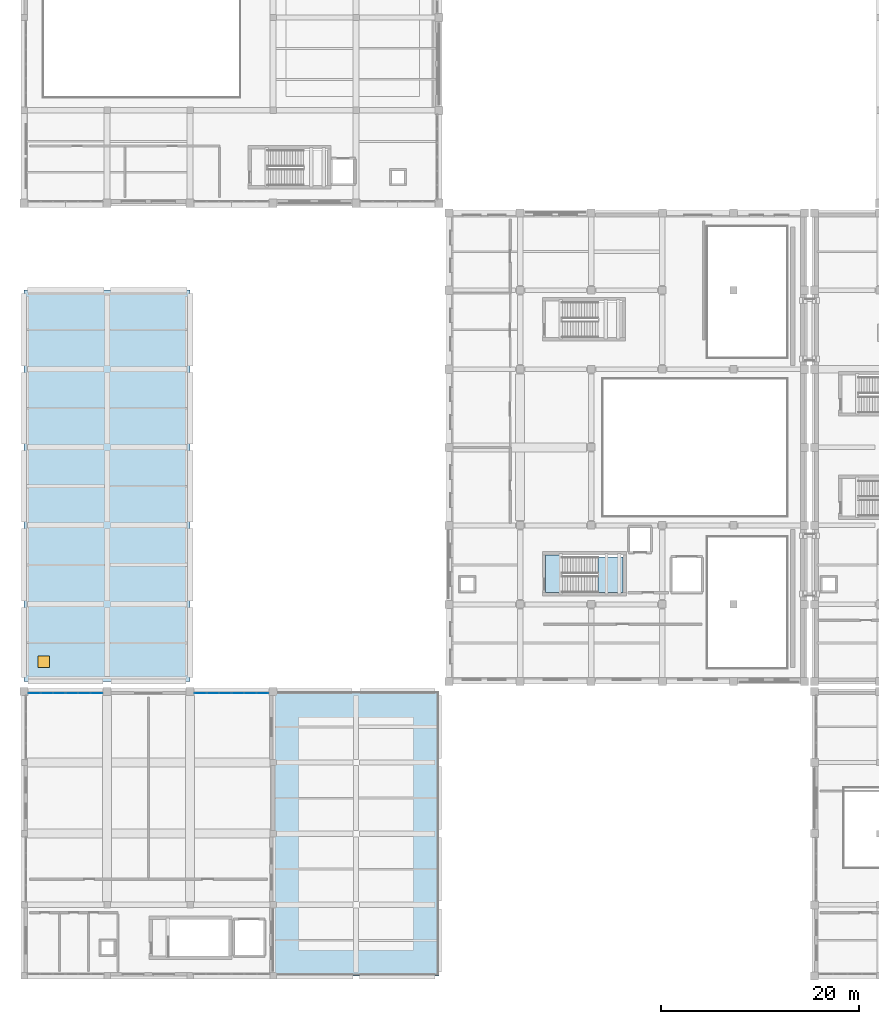
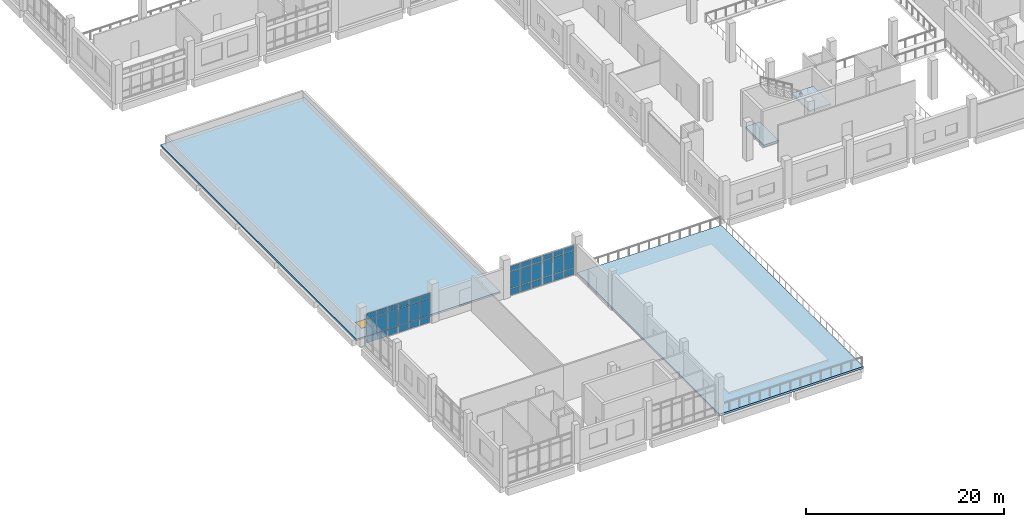
# One storey, part 37 of 73: 36 plates, 4 slabs, 1 window, 1 opening, 5 elements without a shape of their own.
"""IFC4 building model written with IfcOpenShell, lengths in metres."""

from ifc_helpers import new_model, si_unit, direction, frame, origin, origin_2d, place, context, subcontext, project, spatial, polyline, rectangle, outline, extrude, material, layer, layer_set, type_object, element, fill, aggregate, save


model = new_model("IFC4")

# Units and contexts
model_context = context("Model", 3, precision=1e-05, world=origin(), true_north=direction((0.0, 1.0)))
body_context = subcontext(model_context, "Body", "Model", "MODEL_VIEW")
ifc_project = project(units=[si_unit("LENGTHUNIT", "METRE"), si_unit("AREAUNIT", "SQUARE_METRE"), si_unit("VOLUMEUNIT", "CUBIC_METRE"), si_unit("PLANEANGLEUNIT", "RADIAN"), si_unit("MASSUNIT", "GRAM", prefix="KILO")], contexts=[model_context])

# Site, building, storey
site_placement = place(None, origin())
site = spatial("IfcSite", under=ifc_project, at=site_placement, CompositionType="ELEMENT")
building_placement = place(site_placement, origin())
building = spatial("IfcBuilding", under=site, at=building_placement, Name="Kelarvand Opera House", CompositionType="ELEMENT")
storey_placement = place(building_placement, frame((0.0, 0.0, 10.199951171875)))
storey = spatial("IfcBuildingStorey", under=building, at=storey_placement, Name="L02", CompositionType="ELEMENT", Elevation=10.199951171875)

# Slab
ifc_material_1 = material(Name="Concrete C35/45", Category="concrete")
ifc_layer_1 = layer(ifc_material_1, 0.219970703125, Name="Concrete C35/45", Category="concrete")
ifc_layer_set_1 = layer_set([ifc_layer_1], Name="Concrete C35/45")
slab_type_1 = type_object("IfcSlabType", Name="Core Stair Entry Landing Slab 220", PredefinedType="LANDING", material=ifc_layer_set_1)
slab_1_placement = place(storey_placement, frame((0.0, 0.0, -0.219970703125)))
element("IfcSlab", 1, at=slab_1_placement, inside=storey, type_object=slab_type_1, Name="C2 Stair Entry Landing L02", PredefinedType="LANDING", context=body_context, shape_type="SweptSolid", body=[
    extrude(outline(polyline([(61.800048828125, 47.800048828125), (63.52001953125, 47.800048828125), (63.52001953125, 51.60009765625), (61.800048828125, 51.60009765625), (61.800048828125, 47.800048828125)])), origin(), (0.0, 0.0, 1.0), 0.219970703125),
])

# Slab, opening, window
ifc_layer_2 = layer(ifc_material_1, 0.219970703125, Name="Concrete C35/45", Category="concrete")
ifc_layer_set_2 = layer_set([ifc_layer_2], Name="Concrete C35/45")
slab_type_2 = type_object("IfcSlabType", Name="Flat Structural Roof Slab 220", PredefinedType="ROOF", material=ifc_layer_set_2)
slab_2_placement = place(storey_placement, frame((0.0, 0.0, -0.219970703125)))
slab_2 = element("IfcSlab", 2, at=slab_2_placement, inside=storey, type_object=slab_type_2, Name="V4 Flat Roof Slab L02 1", PredefinedType="ROOF", context=body_context, shape_type="SweptSolid", body=[
    extrude(outline(polyline([(9.0, 38.800048828125), (25.800048828125, 38.800048828125), (25.800048828125, 78.39990234375), (9.0, 78.39990234375), (9.0, 38.800048828125)])), origin(), (0.0, 0.0, 1.0), 0.219970703125),
])
opening_placement = place(slab_2_placement, frame((11.0, 40.800048828125, 0.0)))
opening = element("IfcOpeningElement", 3, at=opening_placement, cuts=slab_2, Name="Opening RH-01", PredefinedType="OPENING", context=body_context, shape_type="SweptSolid", body=[
    extrude(rectangle(XDim=1.199951171875, YDim=1.199951171875, at=origin_2d()), frame((0.0, 0.0, -0.010009765625)), (0.0, 0.0, 1.0), 0.239990234375),
])
ifc_material_2 = material(Name="Insulated aluminium roof access hatch", Category="aluminium")
window_type = type_object("IfcWindowType", Name="Insulated Flat-Roof Maintenance Access Hatch 1200x1200", PartitioningType="SINGLE_PANEL", PredefinedType="SKYLIGHT", material=ifc_material_2)
window_placement = place(opening_placement, frame((0.0, 0.0, 0.169921875)))
window = element("IfcWindow", 4, at=window_placement, inside=storey, type_object=window_type, Name="V4 Maintenance Roof Hatch 7", OverallHeight=1.199951171875, OverallWidth=1.199951171875, PartitioningType="SINGLE_PANEL", PredefinedType="SKYLIGHT", context=body_context, shape_type="SweptSolid", body=[
    extrude(rectangle(XDim=1.199951171875, YDim=1.199951171875, at=origin_2d()), origin(), (0.0, 0.0, 1.0), 0.050048828125),
])
fill(opening, window)

# Curtain wall, plates
ifc_material_3 = material(Name="Thermally broken aluminium and low-E glazing", Category="aluminium")
ifc_layer_3 = layer(ifc_material_3, 0.179931640625, Name="Thermally broken aluminium and low-E glazing", Category="aluminium")
ifc_layer_set_3 = layer_set([ifc_layer_3], Name="Thermally broken aluminium and low-E glazing")
curtain_wall_type = type_object("IfcCurtainWallType", Name="Unitised Low-E Curtain Wall 3776x3730 Mod 1350 CWF-33", PredefinedType="USERDEFINED", material=ifc_layer_set_3)
curtain_wall_1_placement = place(storey_placement, origin())
curtain_wall_1 = element("IfcCurtainWall", 5, at=curtain_wall_1_placement, inside=storey, type_object=curtain_wall_type, Name="V4 L02 Curtain Wall CWF-33 (151)", ObjectType="UNITISED CURTAIN WALL", PredefinedType="USERDEFINED")
ifc_material_4 = material(Name="Low-E laminated double glazing", Category="glass")
ifc_layer_4 = layer(ifc_material_4, 0.031982421875, Name="Low-E laminated double glazing", Category="glass")
ifc_layer_set_4 = layer_set([ifc_layer_4], Name="Low-E laminated double glazing")
plate_type = type_object("IfcPlateType", Name="Low-E Argon Double Glazed Curtain Panel 32mm", PredefinedType="CURTAIN_PANEL", material=ifc_layer_set_4)
plate_1_placement = place(storey_placement, frame((10.065673828125, 37.6201171875, 0.06494140625), z_axis=(0.0, 0.0, 1.0), x_axis=(1.0, 0.0, 0.0)))
plate_1 = element("IfcPlate", 6, at=plate_1_placement, type_object=plate_type, Name="CWF-33 panel 1.1", PredefinedType="CURTAIN_PANEL", context=body_context, shape_type="SweptSolid", body=[
    extrude(rectangle(XDim=1.1611328125, YDim=0.031982421875, at=origin_2d()), origin(), (0.0, 0.0, 1.0), 0.802490234375),
])
plate_2_placement = place(storey_placement, frame((10.065673828125, 37.6201171875, 0.9326171875), z_axis=(0.0, 0.0, 1.0), x_axis=(1.0, 0.0, 0.0)))
plate_2 = element("IfcPlate", 7, at=plate_2_placement, type_object=plate_type, Name="CWF-33 panel 1.2", PredefinedType="CURTAIN_PANEL", context=body_context, shape_type="SweptSolid", body=[
    extrude(rectangle(XDim=1.1611328125, YDim=0.031982421875, at=origin_2d()), origin(), (0.0, 0.0, 1.0), 2.06494140625),
])
plate_3_placement = place(storey_placement, frame((10.065673828125, 37.6201171875, 3.0625), z_axis=(0.0, 0.0, 1.0), x_axis=(1.0, 0.0, 0.0)))
plate_3 = element("IfcPlate", 8, at=plate_3_placement, type_object=plate_type, Name="CWF-33 panel 1.3", PredefinedType="CURTAIN_PANEL", context=body_context, shape_type="SweptSolid", body=[
    extrude(rectangle(XDim=1.1611328125, YDim=0.031982421875, at=origin_2d()), origin(), (0.0, 0.0, 1.0), 0.6025390625),
])
plate_4_placement = place(storey_placement, frame((11.30810546875, 37.6201171875, 0.06494140625), z_axis=(0.0, 0.0, 1.0), x_axis=(1.0, 0.0, 0.0)))
plate_4 = element("IfcPlate", 9, at=plate_4_placement, type_object=plate_type, Name="CWF-33 panel 2.1", PredefinedType="CURTAIN_PANEL", context=body_context, shape_type="SweptSolid", body=[
    extrude(rectangle(XDim=1.193603515625, YDim=0.031982421875, at=origin_2d()), origin(), (0.0, 0.0, 1.0), 0.802490234375),
])
plate_5_placement = place(storey_placement, frame((11.30810546875, 37.6201171875, 0.9326171875), z_axis=(0.0, 0.0, 1.0), x_axis=(1.0, 0.0, 0.0)))
plate_5 = element("IfcPlate", 10, at=plate_5_placement, type_object=plate_type, Name="CWF-33 panel 2.2", PredefinedType="CURTAIN_PANEL", context=body_context, shape_type="SweptSolid", body=[
    extrude(rectangle(XDim=1.193603515625, YDim=0.031982421875, at=origin_2d()), origin(), (0.0, 0.0, 1.0), 2.06494140625),
])
plate_6_placement = place(storey_placement, frame((11.30810546875, 37.6201171875, 3.0625), z_axis=(0.0, 0.0, 1.0), x_axis=(1.0, 0.0, 0.0)))
plate_6 = element("IfcPlate", 11, at=plate_6_placement, type_object=plate_type, Name="CWF-33 panel 2.3", PredefinedType="CURTAIN_PANEL", context=body_context, shape_type="SweptSolid", body=[
    extrude(rectangle(XDim=1.193603515625, YDim=0.031982421875, at=origin_2d()), origin(), (0.0, 0.0, 1.0), 0.6025390625),
])
plate_7_placement = place(storey_placement, frame((12.550537109375, 37.6201171875, 0.06494140625), z_axis=(0.0, 0.0, 1.0), x_axis=(1.0, 0.0, 0.0)))
plate_7 = element("IfcPlate", 12, at=plate_7_placement, type_object=plate_type, Name="CWF-33 panel 3.1", PredefinedType="CURTAIN_PANEL", context=body_context, shape_type="SweptSolid", body=[
    extrude(rectangle(XDim=1.1611328125, YDim=0.031982421875, at=origin_2d()), origin(), (0.0, 0.0, 1.0), 0.802490234375),
])
plate_8_placement = place(storey_placement, frame((12.550537109375, 37.6201171875, 0.9326171875), z_axis=(0.0, 0.0, 1.0), x_axis=(1.0, 0.0, 0.0)))
plate_8 = element("IfcPlate", 13, at=plate_8_placement, type_object=plate_type, Name="CWF-33 panel 3.2", PredefinedType="CURTAIN_PANEL", context=body_context, shape_type="SweptSolid", body=[
    extrude(rectangle(XDim=1.1611328125, YDim=0.031982421875, at=origin_2d()), origin(), (0.0, 0.0, 1.0), 2.06494140625),
])
plate_9_placement = place(storey_placement, frame((12.550537109375, 37.6201171875, 3.0625), z_axis=(0.0, 0.0, 1.0), x_axis=(1.0, 0.0, 0.0)))
plate_9 = element("IfcPlate", 14, at=plate_9_placement, type_object=plate_type, Name="CWF-33 panel 3.3", PredefinedType="CURTAIN_PANEL", context=body_context, shape_type="SweptSolid", body=[
    extrude(rectangle(XDim=1.1611328125, YDim=0.031982421875, at=origin_2d()), origin(), (0.0, 0.0, 1.0), 0.6025390625),
])
aggregate(curtain_wall_1, [plate_1, plate_2, plate_3, plate_4, plate_5, plate_6, plate_7, plate_8, plate_9])

curtain_wall_2_placement = place(storey_placement, origin())
curtain_wall_2 = element("IfcCurtainWall", 15, at=curtain_wall_2_placement, inside=storey, type_object=curtain_wall_type, Name="V4 L02 Curtain Wall CWF-33 (152)", ObjectType="UNITISED CURTAIN WALL", PredefinedType="USERDEFINED")
plate_10_placement = place(storey_placement, frame((13.84619140625, 37.6201171875, 0.06494140625), z_axis=(0.0, 0.0, 1.0), x_axis=(1.0, 0.0, 0.0)))
plate_10 = element("IfcPlate", 16, at=plate_10_placement, type_object=plate_type, Name="CWF-33 panel 1.1", PredefinedType="CURTAIN_PANEL", context=body_context, shape_type="SweptSolid", body=[
    extrude(rectangle(XDim=1.16259765625, YDim=0.031982421875, at=origin_2d()), origin(), (0.0, 0.0, 1.0), 0.802490234375),
])
plate_11_placement = place(storey_placement, frame((13.84619140625, 37.6201171875, 0.9326171875), z_axis=(0.0, 0.0, 1.0), x_axis=(1.0, 0.0, 0.0)))
plate_11 = element("IfcPlate", 17, at=plate_11_placement, type_object=plate_type, Name="CWF-33 panel 1.2", PredefinedType="CURTAIN_PANEL", context=body_context, shape_type="SweptSolid", body=[
    extrude(rectangle(XDim=1.16259765625, YDim=0.031982421875, at=origin_2d()), origin(), (0.0, 0.0, 1.0), 2.06494140625),
])
plate_12_placement = place(storey_placement, frame((13.84619140625, 37.6201171875, 3.0625), z_axis=(0.0, 0.0, 1.0), x_axis=(1.0, 0.0, 0.0)))
plate_12 = element("IfcPlate", 18, at=plate_12_placement, type_object=plate_type, Name="CWF-33 panel 1.3", PredefinedType="CURTAIN_PANEL", context=body_context, shape_type="SweptSolid", body=[
    extrude(rectangle(XDim=1.16259765625, YDim=0.031982421875, at=origin_2d()), origin(), (0.0, 0.0, 1.0), 0.6025390625),
])
plate_13_placement = place(storey_placement, frame((15.090087890625, 37.6201171875, 0.06494140625), z_axis=(0.0, 0.0, 1.0), x_axis=(1.0, 0.0, 0.0)))
plate_13 = element("IfcPlate", 19, at=plate_13_placement, type_object=plate_type, Name="CWF-33 panel 2.1", PredefinedType="CURTAIN_PANEL", context=body_context, shape_type="SweptSolid", body=[
    extrude(rectangle(XDim=1.195068359375, YDim=0.031982421875, at=origin_2d()), origin(), (0.0, 0.0, 1.0), 0.802490234375),
])
plate_14_placement = place(storey_placement, frame((15.090087890625, 37.6201171875, 0.9326171875), z_axis=(0.0, 0.0, 1.0), x_axis=(1.0, 0.0, 0.0)))
plate_14 = element("IfcPlate", 20, at=plate_14_placement, type_object=plate_type, Name="CWF-33 panel 2.2", PredefinedType="CURTAIN_PANEL", context=body_context, shape_type="SweptSolid", body=[
    extrude(rectangle(XDim=1.195068359375, YDim=0.031982421875, at=origin_2d()), origin(), (0.0, 0.0, 1.0), 2.06494140625),
])
plate_15_placement = place(storey_placement, frame((15.090087890625, 37.6201171875, 3.0625), z_axis=(0.0, 0.0, 1.0), x_axis=(1.0, 0.0, 0.0)))
plate_15 = element("IfcPlate", 21, at=plate_15_placement, type_object=plate_type, Name="CWF-33 panel 2.3", PredefinedType="CURTAIN_PANEL", context=body_context, shape_type="SweptSolid", body=[
    extrude(rectangle(XDim=1.195068359375, YDim=0.031982421875, at=origin_2d()), origin(), (0.0, 0.0, 1.0), 0.6025390625),
])
plate_16_placement = place(storey_placement, frame((16.333740234375, 37.6201171875, 0.06494140625), z_axis=(0.0, 0.0, 1.0), x_axis=(1.0, 0.0, 0.0)))
plate_16 = element("IfcPlate", 22, at=plate_16_placement, type_object=plate_type, Name="CWF-33 panel 3.1", PredefinedType="CURTAIN_PANEL", context=body_context, shape_type="SweptSolid", body=[
    extrude(rectangle(XDim=1.16259765625, YDim=0.031982421875, at=origin_2d()), origin(), (0.0, 0.0, 1.0), 0.802490234375),
])
plate_17_placement = place(storey_placement, frame((16.333740234375, 37.6201171875, 0.9326171875), z_axis=(0.0, 0.0, 1.0), x_axis=(1.0, 0.0, 0.0)))
plate_17 = element("IfcPlate", 23, at=plate_17_placement, type_object=plate_type, Name="CWF-33 panel 3.2", PredefinedType="CURTAIN_PANEL", context=body_context, shape_type="SweptSolid", body=[
    extrude(rectangle(XDim=1.16259765625, YDim=0.031982421875, at=origin_2d()), origin(), (0.0, 0.0, 1.0), 2.06494140625),
])
plate_18_placement = place(storey_placement, frame((16.333740234375, 37.6201171875, 3.0625), z_axis=(0.0, 0.0, 1.0), x_axis=(1.0, 0.0, 0.0)))
plate_18 = element("IfcPlate", 24, at=plate_18_placement, type_object=plate_type, Name="CWF-33 panel 3.3", PredefinedType="CURTAIN_PANEL", context=body_context, shape_type="SweptSolid", body=[
    extrude(rectangle(XDim=1.16259765625, YDim=0.031982421875, at=origin_2d()), origin(), (0.0, 0.0, 1.0), 0.6025390625),
])
aggregate(curtain_wall_2, [plate_10, plate_11, plate_12, plate_13, plate_14, plate_15, plate_16, plate_17, plate_18])

curtain_wall_3_placement = place(storey_placement, origin())
curtain_wall_3 = element("IfcCurtainWall", 25, at=curtain_wall_3_placement, inside=storey, type_object=curtain_wall_type, Name="V4 L02 Curtain Wall CWF-33 (153)", ObjectType="UNITISED CURTAIN WALL", PredefinedType="USERDEFINED")
plate_19_placement = place(storey_placement, frame((26.865478515625, 37.6201171875, 0.06494140625), z_axis=(0.0, 0.0, 1.0), x_axis=(1.0, 0.0, 0.0)))
plate_19 = element("IfcPlate", 26, at=plate_19_placement, type_object=plate_type, Name="CWF-33 panel 1.1", PredefinedType="CURTAIN_PANEL", context=body_context, shape_type="SweptSolid", body=[
    extrude(rectangle(XDim=1.1611328125, YDim=0.031982421875, at=origin_2d()), origin(), (0.0, 0.0, 1.0), 0.802490234375),
])
plate_20_placement = place(storey_placement, frame((26.865478515625, 37.6201171875, 0.9326171875), z_axis=(0.0, 0.0, 1.0), x_axis=(1.0, 0.0, 0.0)))
plate_20 = element("IfcPlate", 27, at=plate_20_placement, type_object=plate_type, Name="CWF-33 panel 1.2", PredefinedType="CURTAIN_PANEL", context=body_context, shape_type="SweptSolid", body=[
    extrude(rectangle(XDim=1.1611328125, YDim=0.031982421875, at=origin_2d()), origin(), (0.0, 0.0, 1.0), 2.06494140625),
])
plate_21_placement = place(storey_placement, frame((26.865478515625, 37.6201171875, 3.0625), z_axis=(0.0, 0.0, 1.0), x_axis=(1.0, 0.0, 0.0)))
plate_21 = element("IfcPlate", 28, at=plate_21_placement, type_object=plate_type, Name="CWF-33 panel 1.3", PredefinedType="CURTAIN_PANEL", context=body_context, shape_type="SweptSolid", body=[
    extrude(rectangle(XDim=1.1611328125, YDim=0.031982421875, at=origin_2d()), origin(), (0.0, 0.0, 1.0), 0.6025390625),
])
plate_22_placement = place(storey_placement, frame((28.10791015625, 37.6201171875, 0.06494140625), z_axis=(0.0, 0.0, 1.0), x_axis=(1.0, 0.0, 0.0)))
plate_22 = element("IfcPlate", 29, at=plate_22_placement, type_object=plate_type, Name="CWF-33 panel 2.1", PredefinedType="CURTAIN_PANEL", context=body_context, shape_type="SweptSolid", body=[
    extrude(rectangle(XDim=1.193603515625, YDim=0.031982421875, at=origin_2d()), origin(), (0.0, 0.0, 1.0), 0.802490234375),
])
plate_23_placement = place(storey_placement, frame((28.10791015625, 37.6201171875, 0.9326171875), z_axis=(0.0, 0.0, 1.0), x_axis=(1.0, 0.0, 0.0)))
plate_23 = element("IfcPlate", 30, at=plate_23_placement, type_object=plate_type, Name="CWF-33 panel 2.2", PredefinedType="CURTAIN_PANEL", context=body_context, shape_type="SweptSolid", body=[
    extrude(rectangle(XDim=1.193603515625, YDim=0.031982421875, at=origin_2d()), origin(), (0.0, 0.0, 1.0), 2.06494140625),
])
plate_24_placement = place(storey_placement, frame((28.10791015625, 37.6201171875, 3.0625), z_axis=(0.0, 0.0, 1.0), x_axis=(1.0, 0.0, 0.0)))
plate_24 = element("IfcPlate", 31, at=plate_24_placement, type_object=plate_type, Name="CWF-33 panel 2.3", PredefinedType="CURTAIN_PANEL", context=body_context, shape_type="SweptSolid", body=[
    extrude(rectangle(XDim=1.193603515625, YDim=0.031982421875, at=origin_2d()), origin(), (0.0, 0.0, 1.0), 0.6025390625),
])
plate_25_placement = place(storey_placement, frame((29.350341796875, 37.6201171875, 0.06494140625), z_axis=(0.0, 0.0, 1.0), x_axis=(1.0, 0.0, 0.0)))
plate_25 = element("IfcPlate", 32, at=plate_25_placement, type_object=plate_type, Name="CWF-33 panel 3.1", PredefinedType="CURTAIN_PANEL", context=body_context, shape_type="SweptSolid", body=[
    extrude(rectangle(XDim=1.1611328125, YDim=0.031982421875, at=origin_2d()), origin(), (0.0, 0.0, 1.0), 0.802490234375),
])
plate_26_placement = place(storey_placement, frame((29.350341796875, 37.6201171875, 0.9326171875), z_axis=(0.0, 0.0, 1.0), x_axis=(1.0, 0.0, 0.0)))
plate_26 = element("IfcPlate", 33, at=plate_26_placement, type_object=plate_type, Name="CWF-33 panel 3.2", PredefinedType="CURTAIN_PANEL", context=body_context, shape_type="SweptSolid", body=[
    extrude(rectangle(XDim=1.1611328125, YDim=0.031982421875, at=origin_2d()), origin(), (0.0, 0.0, 1.0), 2.06494140625),
])
plate_27_placement = place(storey_placement, frame((29.350341796875, 37.6201171875, 3.0625), z_axis=(0.0, 0.0, 1.0), x_axis=(1.0, 0.0, 0.0)))
plate_27 = element("IfcPlate", 34, at=plate_27_placement, type_object=plate_type, Name="CWF-33 panel 3.3", PredefinedType="CURTAIN_PANEL", context=body_context, shape_type="SweptSolid", body=[
    extrude(rectangle(XDim=1.1611328125, YDim=0.031982421875, at=origin_2d()), origin(), (0.0, 0.0, 1.0), 0.6025390625),
])
aggregate(curtain_wall_3, [plate_19, plate_20, plate_21, plate_22, plate_23, plate_24, plate_25, plate_26, plate_27])

curtain_wall_4_placement = place(storey_placement, origin())
curtain_wall_4 = element("IfcCurtainWall", 35, at=curtain_wall_4_placement, inside=storey, type_object=curtain_wall_type, Name="V4 L02 Curtain Wall CWF-33 (154)", ObjectType="UNITISED CURTAIN WALL", PredefinedType="USERDEFINED")
plate_28_placement = place(storey_placement, frame((30.646240234375, 37.6201171875, 0.06494140625), z_axis=(0.0, 0.0, 1.0), x_axis=(1.0, 0.0, 0.0)))
plate_28 = element("IfcPlate", 36, at=plate_28_placement, type_object=plate_type, Name="CWF-33 panel 1.1", PredefinedType="CURTAIN_PANEL", context=body_context, shape_type="SweptSolid", body=[
    extrude(rectangle(XDim=1.16259765625, YDim=0.031982421875, at=origin_2d()), origin(), (0.0, 0.0, 1.0), 0.802490234375),
])
plate_29_placement = place(storey_placement, frame((30.646240234375, 37.6201171875, 0.9326171875), z_axis=(0.0, 0.0, 1.0), x_axis=(1.0, 0.0, 0.0)))
plate_29 = element("IfcPlate", 37, at=plate_29_placement, type_object=plate_type, Name="CWF-33 panel 1.2", PredefinedType="CURTAIN_PANEL", context=body_context, shape_type="SweptSolid", body=[
    extrude(rectangle(XDim=1.16259765625, YDim=0.031982421875, at=origin_2d()), origin(), (0.0, 0.0, 1.0), 2.06494140625),
])
plate_30_placement = place(storey_placement, frame((30.646240234375, 37.6201171875, 3.0625), z_axis=(0.0, 0.0, 1.0), x_axis=(1.0, 0.0, 0.0)))
plate_30 = element("IfcPlate", 38, at=plate_30_placement, type_object=plate_type, Name="CWF-33 panel 1.3", PredefinedType="CURTAIN_PANEL", context=body_context, shape_type="SweptSolid", body=[
    extrude(rectangle(XDim=1.16259765625, YDim=0.031982421875, at=origin_2d()), origin(), (0.0, 0.0, 1.0), 0.6025390625),
])
plate_31_placement = place(storey_placement, frame((31.889892578125, 37.6201171875, 0.06494140625), z_axis=(0.0, 0.0, 1.0), x_axis=(1.0, 0.0, 0.0)))
plate_31 = element("IfcPlate", 39, at=plate_31_placement, type_object=plate_type, Name="CWF-33 panel 2.1", PredefinedType="CURTAIN_PANEL", context=body_context, shape_type="SweptSolid", body=[
    extrude(rectangle(XDim=1.195068359375, YDim=0.031982421875, at=origin_2d()), origin(), (0.0, 0.0, 1.0), 0.802490234375),
])
plate_32_placement = place(storey_placement, frame((31.889892578125, 37.6201171875, 0.9326171875), z_axis=(0.0, 0.0, 1.0), x_axis=(1.0, 0.0, 0.0)))
plate_32 = element("IfcPlate", 40, at=plate_32_placement, type_object=plate_type, Name="CWF-33 panel 2.2", PredefinedType="CURTAIN_PANEL", context=body_context, shape_type="SweptSolid", body=[
    extrude(rectangle(XDim=1.195068359375, YDim=0.031982421875, at=origin_2d()), origin(), (0.0, 0.0, 1.0), 2.06494140625),
])
plate_33_placement = place(storey_placement, frame((31.889892578125, 37.6201171875, 3.0625), z_axis=(0.0, 0.0, 1.0), x_axis=(1.0, 0.0, 0.0)))
plate_33 = element("IfcPlate", 41, at=plate_33_placement, type_object=plate_type, Name="CWF-33 panel 2.3", PredefinedType="CURTAIN_PANEL", context=body_context, shape_type="SweptSolid", body=[
    extrude(rectangle(XDim=1.195068359375, YDim=0.031982421875, at=origin_2d()), origin(), (0.0, 0.0, 1.0), 0.6025390625),
])
plate_34_placement = place(storey_placement, frame((33.1337890625, 37.6201171875, 0.06494140625), z_axis=(0.0, 0.0, 1.0), x_axis=(1.0, 0.0, 0.0)))
plate_34 = element("IfcPlate", 42, at=plate_34_placement, type_object=plate_type, Name="CWF-33 panel 3.1", PredefinedType="CURTAIN_PANEL", context=body_context, shape_type="SweptSolid", body=[
    extrude(rectangle(XDim=1.16259765625, YDim=0.031982421875, at=origin_2d()), origin(), (0.0, 0.0, 1.0), 0.802490234375),
])
plate_35_placement = place(storey_placement, frame((33.1337890625, 37.6201171875, 0.9326171875), z_axis=(0.0, 0.0, 1.0), x_axis=(1.0, 0.0, 0.0)))
plate_35 = element("IfcPlate", 43, at=plate_35_placement, type_object=plate_type, Name="CWF-33 panel 3.2", PredefinedType="CURTAIN_PANEL", context=body_context, shape_type="SweptSolid", body=[
    extrude(rectangle(XDim=1.16259765625, YDim=0.031982421875, at=origin_2d()), origin(), (0.0, 0.0, 1.0), 2.06494140625),
])
plate_36_placement = place(storey_placement, frame((33.1337890625, 37.6201171875, 3.0625), z_axis=(0.0, 0.0, 1.0), x_axis=(1.0, 0.0, 0.0)))
plate_36 = element("IfcPlate", 44, at=plate_36_placement, type_object=plate_type, Name="CWF-33 panel 3.3", PredefinedType="CURTAIN_PANEL", context=body_context, shape_type="SweptSolid", body=[
    extrude(rectangle(XDim=1.16259765625, YDim=0.031982421875, at=origin_2d()), origin(), (0.0, 0.0, 1.0), 0.6025390625),
])
aggregate(curtain_wall_4, [plate_28, plate_29, plate_30, plate_31, plate_32, plate_33, plate_34, plate_35, plate_36])

# Slab
ifc_layer_5 = layer(ifc_material_1, 0.25, Name="Concrete C35/45", Category="concrete")
ifc_layer_set_5 = layer_set([ifc_layer_5], Name="Concrete C35/45")
slab_type_3 = type_object("IfcSlabType", Name="Planted Roof Garden Terrace Slab 250", PredefinedType="FLOOR", material=ifc_layer_set_5)
slab_3_placement = place(storey_placement, frame((0.0, 0.0, -0.25)))
element("IfcSlab", 45, at=slab_3_placement, inside=storey, type_object=slab_type_3, Name="V4 L02 Planted Roof Terrace 1", PredefinedType="FLOOR", context=body_context, shape_type="SweptSolid", body=[
    extrude(outline(polyline([(34.199951171875, 9.0), (51.0, 9.0), (51.0, 37.800048828125), (34.199951171875, 37.800048828125), (34.199951171875, 9.0)])), origin(), (0.0, 0.0, 1.0), 0.25),
])

# Stair, slab
stair_type = type_object("IfcStairType", Name="Dogleg Concrete Exit Stair 1660mm 28R STA-01", PredefinedType="HALF_TURN_STAIR", material=ifc_material_1)
stair_placement = place(storey_placement, origin())
stair = element("IfcStair", 46, at=stair_placement, inside=storey, type_object=stair_type, Name="L02 Stage House South Firefighting and Goods Core C2 Stair ST-02", PredefinedType="HALF_TURN_STAIR")
ifc_layer_6 = layer(ifc_material_1, 0.199951171875, Name="Concrete C35/45", Category="concrete")
ifc_layer_set_6 = layer_set([ifc_layer_6], Name="Concrete C35/45")
slab_type_4 = type_object("IfcSlabType", Name="Precast Stair Half-Landing Slab 200", PredefinedType="LANDING", material=ifc_layer_set_6)
slab_4_placement = place(storey_placement, frame((0.0, 0.0, 2.199951171875)))
slab_4 = element("IfcSlab", 47, at=slab_4_placement, type_object=slab_type_4, Name="ST-02 landing 1", PredefinedType="LANDING", context=body_context, shape_type="SweptSolid", body=[
    extrude(outline(polyline([(67.10009765625, 47.800048828125), (69.60009765625, 47.800048828125), (69.60009765625, 51.39990234375), (67.10009765625, 51.39990234375), (67.10009765625, 47.800048828125)])), origin(), (0.0, 0.0, 1.0), 0.2001953125),
])
aggregate(stair, [slab_4])

save(model, "model.ifc")
